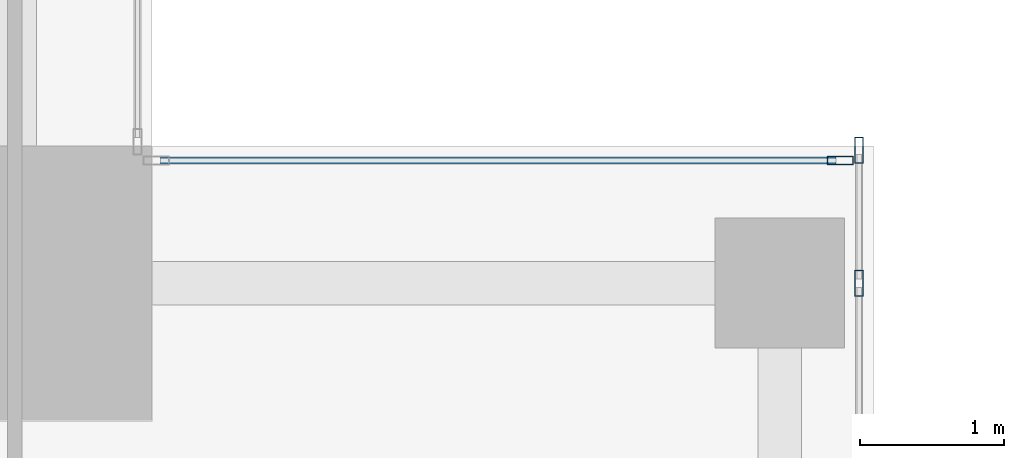
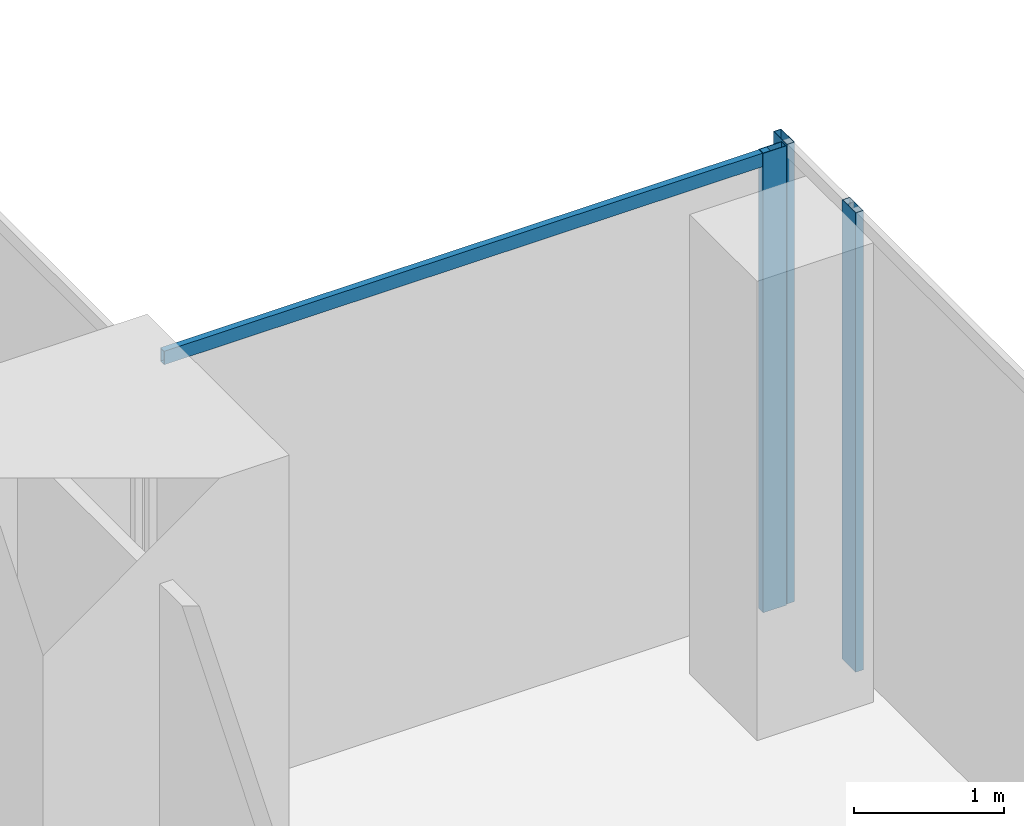
# One storey, part 23 of 34: 4 members, 2 elements without a shape of their own.
"""IFC4 building model written with IfcOpenShell, lengths in metres."""

from ifc_helpers import new_model, si_unit, direction, frame, origin, origin_2d, place, context, subcontext, project, spatial, hollow_rectangle, extrude, source, transform, mapped, material, material_profile, profile_set, type_object, element, aggregate, save


model = new_model("IFC4")

# Units and contexts
model_context = context("Model", 3, precision=1e-05, world=origin(), true_north=direction((0.0, 1.0)))
body_context = subcontext(model_context, "Body", "Model", "MODEL_VIEW")
ifc_project = project(units=[si_unit("LENGTHUNIT", "METRE"), si_unit("AREAUNIT", "SQUARE_METRE"), si_unit("VOLUMEUNIT", "CUBIC_METRE"), si_unit("PLANEANGLEUNIT", "RADIAN"), si_unit("MASSUNIT", "GRAM", prefix="KILO")], contexts=[model_context])

# Site, building, storey
site_placement = place(None, origin())
site = spatial("IfcSite", under=ifc_project, at=site_placement, CompositionType="ELEMENT")
building_placement = place(site_placement, origin())
building = spatial("IfcBuilding", under=site, at=building_placement, Name="Khomas Fold Tower", CompositionType="ELEMENT")
storey_placement = place(building_placement, frame((0.0, 0.0, 242.199951171875)))
storey = spatial("IfcBuildingStorey", under=building, at=storey_placement, Name="L54", CompositionType="ELEMENT", Elevation=242.199951171875)

# Curtain wall, members
ifc_material_1 = material(Name="Aluminium framed double glazing", Category="aluminium")
curtain_wall_type = type_object("IfcCurtainWallType", Name="SK-Unitised clear-glass wall, office floors CW2", PredefinedType="NOTDEFINED", material=ifc_material_1)
curtain_wall_1_placement = place(storey_placement, origin())
curtain_wall_1 = element("IfcCurtainWall", 1, at=curtain_wall_1_placement, inside=storey, type_object=curtain_wall_type, Name="CW2 run L54 03-0", PredefinedType="NOTDEFINED")
ifc_material_2 = material(Name="Aluminium", Category="aluminium")
ifc_material_profile_1 = material_profile(ifc_material_2, hollow_rectangle(XDim=0.06005859375, YDim=0.179931640625, WallThickness=0.00390625, at=origin_2d()), Name="SK-Unitised clear-glass wall, office floors mullion CW2-M")
ifc_profile_set_1 = profile_set([ifc_material_profile_1], Name="Aluminium")
member_type_1 = type_object("IfcMemberType", Name="SK-Unitised clear-glass wall, office floors mullion CW2-M", PredefinedType="MULLION", material=ifc_profile_set_1)
shared_shape_1 = source(origin(), body_context, "Body", "SweptSolid", [
    extrude(hollow_rectangle(XDim=0.06005859375, YDim=0.179931640625, WallThickness=0.00390625, at=origin_2d()), origin(), (0.0, 0.0, 1.0), 3.75),
])
member_1_placement = place(storey_placement, frame((49.39990234375, 43.550048828125, 0.0), z_axis=(0.0, 0.0, 1.0), x_axis=(-1.0, 0.0, 0.0)))
member_1 = element("IfcMember", 2, at=member_1_placement, type_object=member_type_1, Name="CW2 mullion 6", PredefinedType="MULLION", context=body_context, shape_type="MappedRepresentation", body=[
    mapped(shared_shape_1, transform((0.0, 0.0, 0.0))),
])
member_2_placement = place(storey_placement, frame((49.39990234375, 44.469970703125, 0.0), z_axis=(0.0, 0.0, 1.0), x_axis=(-1.0, 0.0, 0.0)))
member_2 = element("IfcMember", 3, at=member_2_placement, type_object=member_type_1, Name="CW2 mullion 7", PredefinedType="MULLION", context=body_context, shape_type="MappedRepresentation", body=[
    mapped(shared_shape_1, transform((0.0, 0.0, 0.0))),
])
aggregate(curtain_wall_1, [member_1, member_2])

curtain_wall_2_placement = place(storey_placement, origin())
curtain_wall_2 = element("IfcCurtainWall", 4, at=curtain_wall_2_placement, inside=storey, type_object=curtain_wall_type, Name="CW2 corner return L54 04", PredefinedType="NOTDEFINED")
member_3_placement = place(storey_placement, frame((49.27001953125, 44.39990234375, 0.0), z_axis=(0.0, 0.0, 1.0), x_axis=(0.0, -1.0, 0.0)))
member_3 = element("IfcMember", 5, at=member_3_placement, type_object=member_type_1, Name="CW2 mullion 1", PredefinedType="MULLION", context=body_context, shape_type="MappedRepresentation", body=[
    mapped(shared_shape_1, transform((0.0, 0.0, 0.0))),
])
ifc_material_3 = material(Name="Aluminium", Category="aluminium")
ifc_material_profile_2 = material_profile(ifc_material_3, hollow_rectangle(XDim=0.050048828125, YDim=0.110107421875, WallThickness=0.00390625, at=origin_2d()), Name="SK-Unitised clear-glass wall, office floors transom CW2-T")
ifc_profile_set_2 = profile_set([ifc_material_profile_2], Name="Aluminium")
member_type_2 = type_object("IfcMemberType", Name="SK-Unitised clear-glass wall, office floors transom CW2-T", PredefinedType="USERDEFINED", material=ifc_profile_set_2)
shared_shape_2 = source(origin(), body_context, "Body", "SweptSolid", [
    extrude(hollow_rectangle(XDim=0.050048828125, YDim=0.110107421875, WallThickness=0.00390625, at=origin_2d()), origin(), (0.0, 0.0, 1.0), 4.679931640625),
])
member_4_placement = place(storey_placement, frame((49.239990234375, 44.39990234375, 3.695068359375), z_axis=(-1.0, 0.0, 0.0), x_axis=(0.0, -1.0, 0.0)))
member_4 = element("IfcMember", 6, at=member_4_placement, type_object=member_type_2, Name="CW2 transom 1", ObjectType="TRANSOM", PredefinedType="USERDEFINED", context=body_context, shape_type="MappedRepresentation", body=[
    mapped(shared_shape_2, transform((0.0, 0.0, 0.0))),
])
aggregate(curtain_wall_2, [member_3, member_4])

save(model, "model.ifc")
